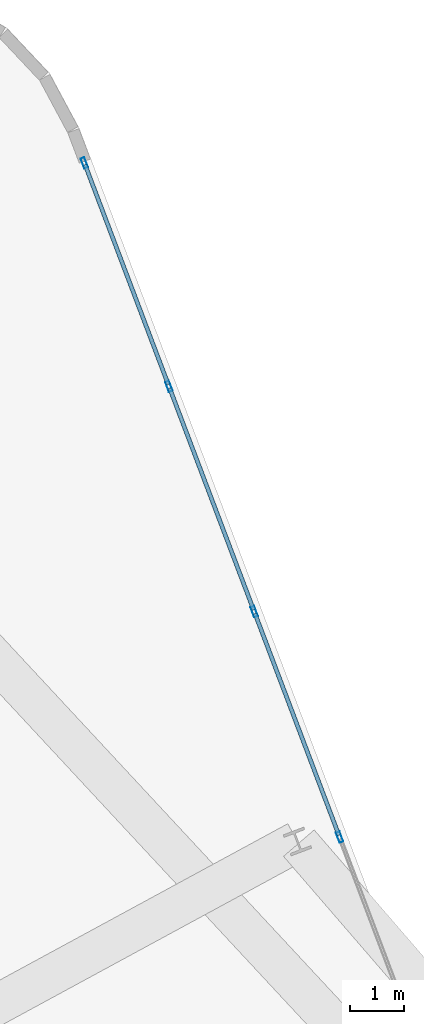
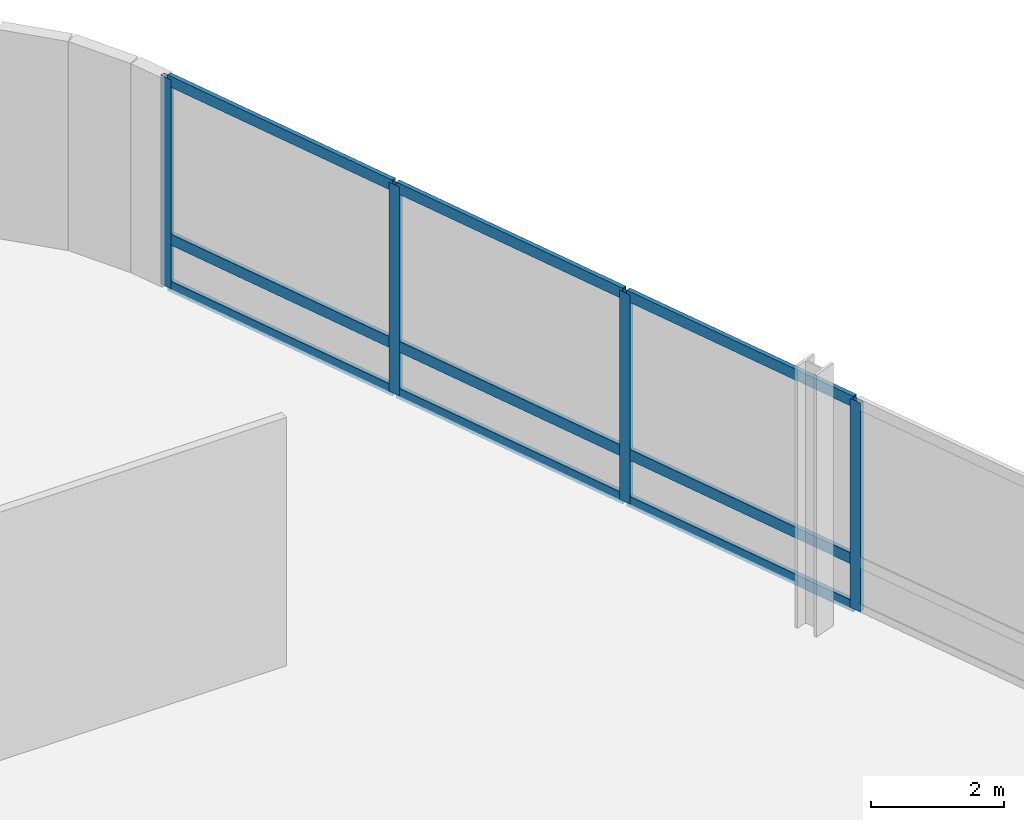
# One storey, part 10 of 19: 13 members, 1 element without a shape of its own.
"""IFC4 building model written with IfcOpenShell, lengths in metres."""

from ifc_helpers import new_model, si_unit, direction, frame, origin, origin_2d, place, context, subcontext, project, spatial, hollow_rectangle, extrude, material, layer, layer_set, material_profile, profile_set, type_object, element, aggregate, save


model = new_model("IFC4")

# Units and contexts
model_context = context("Model", 3, precision=1e-05, world=origin(), true_north=direction((0.0, 1.0)))
body_context = subcontext(model_context, "Body", "Model", "MODEL_VIEW")
ifc_project = project(units=[si_unit("LENGTHUNIT", "METRE"), si_unit("AREAUNIT", "SQUARE_METRE"), si_unit("VOLUMEUNIT", "CUBIC_METRE"), si_unit("PLANEANGLEUNIT", "RADIAN"), si_unit("MASSUNIT", "GRAM", prefix="KILO")], contexts=[model_context])

# Site, building, storey
site_placement = place(None, origin())
site = spatial("IfcSite", under=ifc_project, at=site_placement, CompositionType="ELEMENT")
building_placement = place(site_placement, origin())
building = spatial("IfcBuilding", under=site, at=building_placement, Name="Varnelok Gate Tower", CompositionType="ELEMENT")
storey_placement = place(building_placement, frame((0.0, 0.0, 207.89990234375)))
storey = spatial("IfcBuildingStorey", under=building, at=storey_placement, Name="L53", CompositionType="ELEMENT", Elevation=207.89990234375)

# Curtain wall, members
ifc_material = material(Name="Anodized Aluminum Alloy 6063-T6", Category="aluminium")
ifc_layer = layer(ifc_material, 0.179931640625)
ifc_layer_set = layer_set([ifc_layer], Name="Anodized Aluminum Alloy 6063-T6")
curtain_wall_type = type_object("IfcCurtainWallType", Name="CW2-ATRIUM-GLAZING", PredefinedType="USERDEFINED", material=ifc_layer_set)
curtain_wall_placement = place(storey_placement, origin())
curtain_wall = element("IfcCurtainWall", 1, at=curtain_wall_placement, inside=storey, type_object=curtain_wall_type, Name="L53 East End Vision Curtain Wall", ObjectType="UNITISED CURTAIN WALL", PredefinedType="USERDEFINED")
ifc_material_profile_1 = material_profile(ifc_material, hollow_rectangle(XDim=0.074951171875, YDim=0.199951171875, WallThickness=0.00390625, at=origin_2d()), Name="ALU200X75X4")
ifc_profile_set_1 = profile_set([ifc_material_profile_1], Name="Anodized Aluminum Alloy 6063-T6")
member_type_1 = type_object("IfcMemberType", Name="CW-MULL-200", PredefinedType="MULLION", material=ifc_profile_set_1)
member_1_placement = place(storey_placement, frame((63.42333984375, 48.758544921875, 0.0), z_axis=(0.0, 0.0, 1.0), x_axis=(0.935221251863, 0.354063850264, 0.0)))
member_1 = element("IfcMember", 2, at=member_1_placement, type_object=member_type_1, Name="CW2 mullion 1", PredefinedType="MULLION", context=body_context, shape_type="SweptSolid", body=[
    extrude(hollow_rectangle(XDim=0.074951171875, YDim=0.199951171875, WallThickness=0.00390625, at=origin_2d()), origin(), (0.0, 0.0, 1.0), 3.830078125),
])
member_2_placement = place(storey_placement, frame((64.991455078125, 44.616455078125, 0.0), z_axis=(0.0, 0.0, 1.0), x_axis=(0.935221251863, 0.354063850264, 0.0)))
member_2 = element("IfcMember", 3, at=member_2_placement, type_object=member_type_1, Name="CW2 mullion 2", PredefinedType="MULLION", context=body_context, shape_type="SweptSolid", body=[
    extrude(hollow_rectangle(XDim=0.074951171875, YDim=0.199951171875, WallThickness=0.00390625, at=origin_2d()), origin(), (0.0, 0.0, 1.0), 3.830078125),
])
member_3_placement = place(storey_placement, frame((66.572998046875, 40.43896484375, 0.0), z_axis=(0.0, 0.0, 1.0), x_axis=(0.935221251863, 0.354063850264, 0.0)))
member_3 = element("IfcMember", 4, at=member_3_placement, type_object=member_type_1, Name="CW2 mullion 3", PredefinedType="MULLION", context=body_context, shape_type="SweptSolid", body=[
    extrude(hollow_rectangle(XDim=0.074951171875, YDim=0.199951171875, WallThickness=0.00390625, at=origin_2d()), origin(), (0.0, 0.0, 1.0), 3.830078125),
])
member_4_placement = place(storey_placement, frame((68.154541015625, 36.26171875, 0.0), z_axis=(0.0, 0.0, 1.0), x_axis=(0.935221251863, 0.354063850264, 0.0)))
member_4 = element("IfcMember", 5, at=member_4_placement, type_object=member_type_1, Name="CW2 mullion 4", PredefinedType="MULLION", context=body_context, shape_type="SweptSolid", body=[
    extrude(hollow_rectangle(XDim=0.074951171875, YDim=0.199951171875, WallThickness=0.00390625, at=origin_2d()), origin(), (0.0, 0.0, 1.0), 3.830078125),
])
ifc_material_profile_2 = material_profile(ifc_material, hollow_rectangle(XDim=0.074951171875, YDim=0.199951171875, WallThickness=0.00390625, at=origin_2d()), Name="ALU200X75X4")
ifc_profile_set_2 = profile_set([ifc_material_profile_2], Name="Anodized Aluminum Alloy 6063-T6")
member_type_2 = type_object("IfcMemberType", Name="CW-TRAN-200", PredefinedType="USERDEFINED", material=ifc_profile_set_2)
member_5_placement = place(storey_placement, frame((63.4365234375, 48.7236328125, 0.03759765625), z_axis=(0.354071043618, -0.935218528511, 0.0), x_axis=(0.935218528511, 0.354071043618, 0.0)))
member_5 = element("IfcMember", 6, at=member_5_placement, type_object=member_type_2, Name="CW2 transom 1.1", ObjectType="TRANSOM", PredefinedType="USERDEFINED", context=body_context, shape_type="SweptSolid", body=[
    extrude(hollow_rectangle(XDim=0.074951171875, YDim=0.199951171875, WallThickness=0.00390625, at=origin_2d()), origin(), (0.0, 0.0, 1.0), 4.354248046875),
])
member_6_placement = place(storey_placement, frame((63.4365234375, 48.7236328125, 0.900146484375), z_axis=(0.354071043618, -0.935218528511, 0.0), x_axis=(0.935218528511, 0.354071043618, 0.0)))
member_6 = element("IfcMember", 7, at=member_6_placement, type_object=member_type_2, Name="CW2 transom 1.2", ObjectType="TRANSOM", PredefinedType="USERDEFINED", context=body_context, shape_type="SweptSolid", body=[
    extrude(hollow_rectangle(XDim=0.074951171875, YDim=0.199951171875, WallThickness=0.00390625, at=origin_2d()), origin(), (0.0, 0.0, 1.0), 4.354248046875),
])
member_7_placement = place(storey_placement, frame((63.4365234375, 48.7236328125, 3.79248046875), z_axis=(0.354071043618, -0.935218528511, 0.0), x_axis=(0.935218528511, 0.354071043618, 0.0)))
member_7 = element("IfcMember", 8, at=member_7_placement, type_object=member_type_2, Name="CW2 transom 1.3", ObjectType="TRANSOM", PredefinedType="USERDEFINED", context=body_context, shape_type="SweptSolid", body=[
    extrude(hollow_rectangle(XDim=0.074951171875, YDim=0.199951171875, WallThickness=0.00390625, at=origin_2d()), origin(), (0.0, 0.0, 1.0), 4.354248046875),
])
member_8_placement = place(storey_placement, frame((65.004638671875, 44.581298828125, 0.03759765625), z_axis=(0.354064266196, -0.935221094396, 0.0), x_axis=(0.935221094396, 0.354064266196, 0.0)))
member_8 = element("IfcMember", 9, at=member_8_placement, type_object=member_type_2, Name="CW2 transom 2.1", ObjectType="TRANSOM", PredefinedType="USERDEFINED", context=body_context, shape_type="SweptSolid", body=[
    extrude(hollow_rectangle(XDim=0.074951171875, YDim=0.199951171875, WallThickness=0.00390625, at=origin_2d()), origin(), (0.0, 0.0, 1.0), 4.3916015625),
])
member_9_placement = place(storey_placement, frame((65.004638671875, 44.581298828125, 0.900146484375), z_axis=(0.354064266196, -0.935221094396, 0.0), x_axis=(0.935221094396, 0.354064266196, 0.0)))
member_9 = element("IfcMember", 10, at=member_9_placement, type_object=member_type_2, Name="CW2 transom 2.2", ObjectType="TRANSOM", PredefinedType="USERDEFINED", context=body_context, shape_type="SweptSolid", body=[
    extrude(hollow_rectangle(XDim=0.074951171875, YDim=0.199951171875, WallThickness=0.00390625, at=origin_2d()), origin(), (0.0, 0.0, 1.0), 4.3916015625),
])
member_10_placement = place(storey_placement, frame((65.004638671875, 44.581298828125, 3.79248046875), z_axis=(0.354064266196, -0.935221094396, 0.0), x_axis=(0.935221094396, 0.354064266196, 0.0)))
member_10 = element("IfcMember", 11, at=member_10_placement, type_object=member_type_2, Name="CW2 transom 2.3", ObjectType="TRANSOM", PredefinedType="USERDEFINED", context=body_context, shape_type="SweptSolid", body=[
    extrude(hollow_rectangle(XDim=0.074951171875, YDim=0.199951171875, WallThickness=0.00390625, at=origin_2d()), origin(), (0.0, 0.0, 1.0), 4.3916015625),
])
member_11_placement = place(storey_placement, frame((66.586181640625, 40.404052734375, 0.03759765625), z_axis=(0.354064266196, -0.935221094396, 0.0), x_axis=(0.935221094396, 0.354064266196, 0.0)))
member_11 = element("IfcMember", 12, at=member_11_placement, type_object=member_type_2, Name="CW2 transom 3.1", ObjectType="TRANSOM", PredefinedType="USERDEFINED", context=body_context, shape_type="SweptSolid", body=[
    extrude(hollow_rectangle(XDim=0.074951171875, YDim=0.199951171875, WallThickness=0.00390625, at=origin_2d()), origin(), (0.0, 0.0, 1.0), 4.3916015625),
])
member_12_placement = place(storey_placement, frame((66.586181640625, 40.404052734375, 0.900146484375), z_axis=(0.354064266196, -0.935221094396, 0.0), x_axis=(0.935221094396, 0.354064266196, 0.0)))
member_12 = element("IfcMember", 13, at=member_12_placement, type_object=member_type_2, Name="CW2 transom 3.2", ObjectType="TRANSOM", PredefinedType="USERDEFINED", context=body_context, shape_type="SweptSolid", body=[
    extrude(hollow_rectangle(XDim=0.074951171875, YDim=0.199951171875, WallThickness=0.00390625, at=origin_2d()), origin(), (0.0, 0.0, 1.0), 4.3916015625),
])
member_13_placement = place(storey_placement, frame((66.586181640625, 40.404052734375, 3.79248046875), z_axis=(0.354064266196, -0.935221094396, 0.0), x_axis=(0.935221094396, 0.354064266196, 0.0)))
member_13 = element("IfcMember", 14, at=member_13_placement, type_object=member_type_2, Name="CW2 transom 3.3", ObjectType="TRANSOM", PredefinedType="USERDEFINED", context=body_context, shape_type="SweptSolid", body=[
    extrude(hollow_rectangle(XDim=0.074951171875, YDim=0.199951171875, WallThickness=0.00390625, at=origin_2d()), origin(), (0.0, 0.0, 1.0), 4.3916015625),
])
aggregate(curtain_wall, [member_1, member_2, member_3, member_4, member_5, member_6, member_7, member_8, member_9, member_10, member_11, member_12, member_13])

save(model, "model.ifc")
